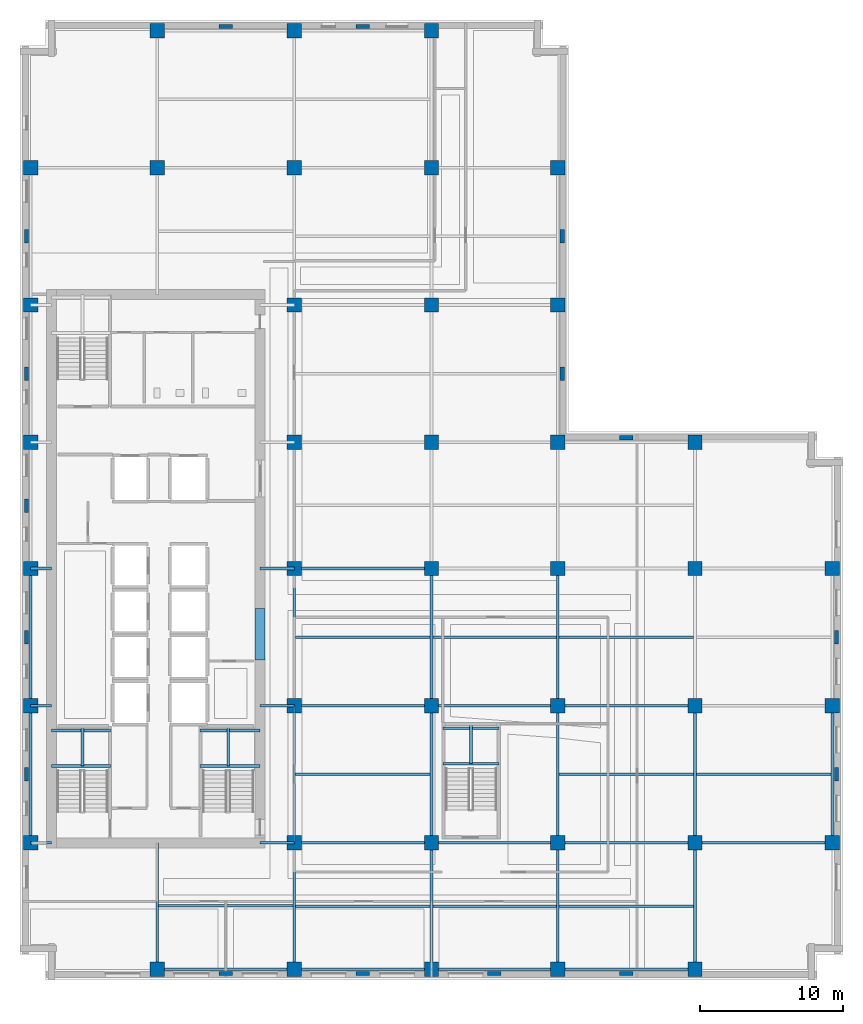
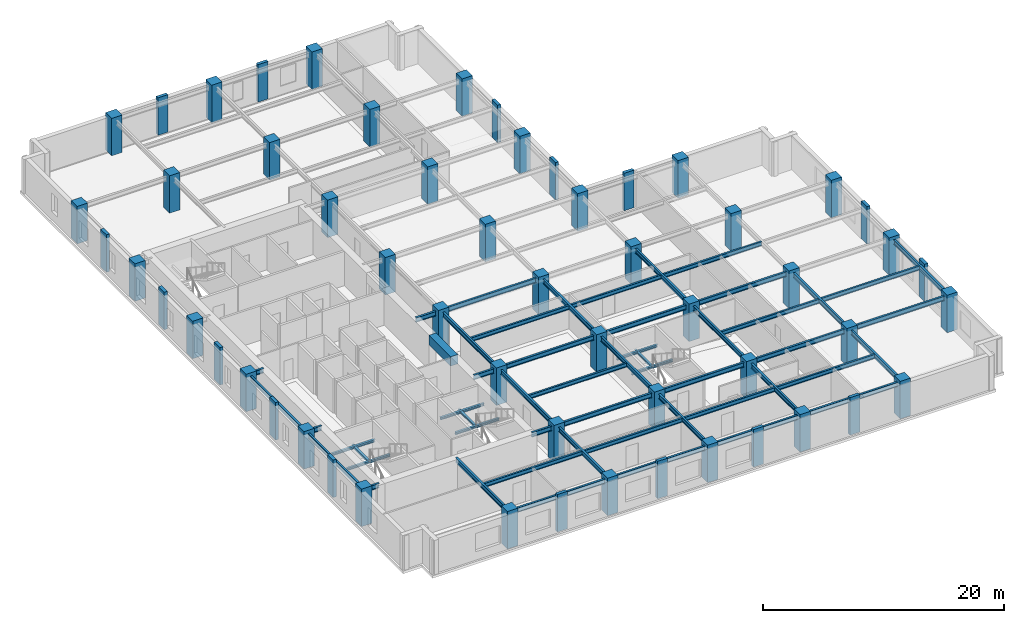
# One storey, part 1 of 12: 56 columns, 53 beams.
"""IFC4 building model written with IfcOpenShell, lengths in metres."""

from ifc_helpers import new_model, si_unit, direction, frame, origin, origin_2d, place, context, subcontext, project, spatial, rectangle, i_section, extrude, material, material_profile, profile_set, type_object, element, save


model = new_model("IFC4")

# Units and contexts
model_context = context("Model", 3, precision=1e-05, world=origin(), true_north=direction((0.0, 1.0)))
body_context = subcontext(model_context, "Body", "Model", "MODEL_VIEW")
ifc_project = project(units=[si_unit("LENGTHUNIT", "METRE"), si_unit("AREAUNIT", "SQUARE_METRE"), si_unit("VOLUMEUNIT", "CUBIC_METRE"), si_unit("PLANEANGLEUNIT", "RADIAN"), si_unit("MASSUNIT", "GRAM", prefix="KILO")], contexts=[model_context])

# Site, building, storey
site_placement = place(None, origin())
site = spatial("IfcSite", under=ifc_project, at=site_placement, CompositionType="ELEMENT")
building_placement = place(site_placement, origin())
building = spatial("IfcBuilding", under=site, at=building_placement, Name="Norrvale University Quadrangle", CompositionType="ELEMENT")
storey_placement = place(building_placement, frame((0.0, 0.0, 147.0)))
storey = spatial("IfcBuildingStorey", under=building, at=storey_placement, Name="L37", CompositionType="ELEMENT", Elevation=147.0)

# Columns
ifc_material_1 = material(Name="Red Manganese Brick Concrete C60/75", Category="concrete")
ifc_material_profile_1 = material_profile(ifc_material_1, rectangle(XDim=0.949951171875, YDim=0.300048828125, at=origin_2d()), Name="Red Manganese Brick Concrete C60/75")
ifc_profile_set_1 = profile_set([ifc_material_profile_1], Name="Red Manganese Brick Concrete C60/75")
column_type_1 = type_object("IfcColumnType", Name="Column Brick Pier 950x300", PredefinedType="PILASTER", material=ifc_profile_set_1)
for number, where, z_axis, x_axis, name in (
    (1, (0.449951171875, 14.39990234375, 0.0), (0.0, 0.0, 1.0), (0.0, 1.0, 0.0), "Exterior Brick Facade Pilaster L37-01"),
    (2, (0.449951171875, 24.0, 0.0), (0.0, 0.0, 1.0), (0.0, 1.0, 0.0), "Exterior Brick Facade Pilaster L37-02"),
    (3, (0.449951171875, 33.199951171875, 0.0), (0.0, 0.0, 1.0), (0.0, 1.0, 0.0), "Exterior Brick Facade Pilaster L37-03"),
    (4, (0.449951171875, 42.449951171875, 0.0), (0.0, 0.0, 1.0), (0.0, 1.0, 0.0), "Exterior Brick Facade Pilaster L37-04"),
    (5, (0.449951171875, 52.050048828125, 0.0), (0.0, 0.0, 1.0), (0.0, 1.0, 0.0), "Exterior Brick Facade Pilaster L37-05"),
    (6, (14.39990234375, 0.449951171875, 0.0), (0.0, 0.0, 1.0), (1.0, 0.0, 0.0), "Exterior Brick Facade Pilaster L37-06"),
    (7, (24.0, 0.449951171875, 0.0), (0.0, 0.0, 1.0), (1.0, 0.0, 0.0), "Exterior Brick Facade Pilaster L37-07"),
    (8, (33.199951171875, 0.449951171875, 0.0), (0.0, 0.0, 1.0), (1.0, 0.0, 0.0), "Exterior Brick Facade Pilaster L37-08"),
    (9, (42.449951171875, 0.449951171875, 0.0), (0.0, 0.0, 1.0), (1.0, 0.0, 0.0), "Exterior Brick Facade Pilaster L37-09"),
    (10, (57.14990234375, 14.39990234375, 0.0), (0.0, 0.0, 1.0), (0.0, 1.0, 0.0), "Exterior Brick Facade Pilaster L37-10"),
    (11, (57.14990234375, 24.0, 0.0), (0.0, 0.0, 1.0), (0.0, 1.0, 0.0), "Exterior Brick Facade Pilaster L37-11"),
    (12, (14.39990234375, 66.75, 0.0), (0.0, 0.0, 1.0), (1.0, 0.0, 0.0), "Exterior Brick Facade Pilaster L37-12"),
    (13, (24.0, 66.75, 0.0), (0.0, 0.0, 1.0), (1.0, 0.0, 0.0), "Exterior Brick Facade Pilaster L37-13"),
    (14, (37.949951171875, 42.449951171875, 0.0), (0.0, 0.0, 1.0), (0.0, 1.0, 0.0), "Exterior Brick Facade Pilaster L37-14"),
    (15, (37.949951171875, 52.050048828125, 0.0), (0.0, 0.0, 1.0), (0.0, 1.0, 0.0), "Exterior Brick Facade Pilaster L37-15"),
    (16, (42.449951171875, 37.949951171875, 0.0), (0.0, 0.0, 1.0), (1.0, 0.0, 0.0), "Exterior Brick Facade Pilaster L37-16"),
):
    element("IfcColumn", number, at=place(storey_placement, frame(where, z_axis=z_axis, x_axis=x_axis)), inside=storey, type_object=column_type_1, Name=name, PredefinedType="PILASTER", context=body_context, shape_type="SweptSolid", body=[
        extrude(rectangle(XDim=0.949951171875, YDim=0.300048828125, at=origin_2d()), origin(), (0.0, 0.0, 1.0), 3.800048828125),
    ])
ifc_material_2 = material(Name="Concrete C60/75", Category="concrete")
ifc_material_profile_2 = material_profile(ifc_material_2, rectangle(XDim=1.0, YDim=1.0, at=origin_2d()), Name="Concrete C60/75")
ifc_profile_set_2 = profile_set([ifc_material_profile_2], Name="Concrete C60/75")
column_type_2 = type_object("IfcColumnType", Name="Column Tower Z2 1000x1000", PredefinedType="COLUMN", material=ifc_profile_set_2)
for number, where, z_axis, x_axis, name in (
    (17, (0.75, 9.60009765625, 0.0), (0.0, 0.0, 1.0), (1.0, 0.0, 0.0), "Tower Column L37-T01"),
    (18, (0.75, 19.199951171875, 0.0), (0.0, 0.0, 1.0), (1.0, 0.0, 0.0), "Tower Column L37-T02"),
    (19, (0.75, 28.800048828125, 0.0), (0.0, 0.0, 1.0), (1.0, 0.0, 0.0), "Tower Column L37-T03"),
    (20, (0.75, 37.64990234375, 0.0), (0.0, 0.0, 1.0), (1.0, 0.0, 0.0), "Tower Column L37-T04"),
    (21, (0.75, 47.25, 0.0), (0.0, 0.0, 1.0), (1.0, 0.0, 0.0), "Tower Column L37-T05"),
    (22, (0.75, 56.85009765625, 0.0), (0.0, 0.0, 1.0), (1.0, 0.0, 0.0), "Tower Column L37-T06"),
    (23, (9.60009765625, 0.75, 0.0), (0.0, 0.0, 1.0), (1.0, 0.0, 0.0), "Tower Column L37-T07"),
    (24, (9.60009765625, 56.85009765625, 0.0), (0.0, 0.0, 1.0), (1.0, 0.0, 0.0), "Tower Column L37-T08"),
    (25, (9.60009765625, 66.449951171875, 0.0), (0.0, 0.0, 1.0), (1.0, 0.0, 0.0), "Tower Column L37-T09"),
    (26, (19.199951171875, 0.75, 0.0), (0.0, 0.0, 1.0), (1.0, 0.0, 0.0), "Tower Column L37-T10"),
    (27, (19.199951171875, 9.60009765625, 0.0), (0.0, 0.0, 1.0), (1.0, 0.0, 0.0), "Tower Column L37-T11"),
    (28, (19.199951171875, 19.199951171875, 0.0), (0.0, 0.0, 1.0), (1.0, 0.0, 0.0), "Tower Column L37-T12"),
    (29, (19.199951171875, 28.800048828125, 0.0), (0.0, 0.0, 1.0), (1.0, 0.0, 0.0), "Tower Column L37-T13"),
    (30, (19.199951171875, 37.64990234375, 0.0), (0.0, 0.0, 1.0), (1.0, 0.0, 0.0), "Tower Column L37-T14"),
    (31, (19.199951171875, 47.25, 0.0), (0.0, 0.0, 1.0), (1.0, 0.0, 0.0), "Tower Column L37-T15"),
    (32, (19.199951171875, 56.85009765625, 0.0), (0.0, 0.0, 1.0), (1.0, 0.0, 0.0), "Tower Column L37-T16"),
    (33, (19.199951171875, 66.449951171875, 0.0), (0.0, 0.0, 1.0), (1.0, 0.0, 0.0), "Tower Column L37-T17"),
    (34, (28.800048828125, 0.75, 0.0), (0.0, 0.0, 1.0), (1.0, 0.0, 0.0), "Tower Column L37-T18"),
    (35, (28.800048828125, 9.60009765625, 0.0), (0.0, 0.0, 1.0), (1.0, 0.0, 0.0), "Tower Column L37-T19"),
    (36, (28.800048828125, 19.199951171875, 0.0), (0.0, 0.0, 1.0), (1.0, 0.0, 0.0), "Tower Column L37-T20"),
    (37, (28.800048828125, 28.800048828125, 0.0), (0.0, 0.0, 1.0), (1.0, 0.0, 0.0), "Tower Column L37-T21"),
    (38, (28.800048828125, 37.64990234375, 0.0), (0.0, 0.0, 1.0), (1.0, 0.0, 0.0), "Tower Column L37-T22"),
    (39, (28.800048828125, 47.25, 0.0), (0.0, 0.0, 1.0), (1.0, 0.0, 0.0), "Tower Column L37-T23"),
    (40, (28.800048828125, 56.85009765625, 0.0), (0.0, 0.0, 1.0), (1.0, 0.0, 0.0), "Tower Column L37-T24"),
    (41, (28.800048828125, 66.449951171875, 0.0), (0.0, 0.0, 1.0), (1.0, 0.0, 0.0), "Tower Column L37-T25"),
    (42, (37.64990234375, 0.75, 0.0), (0.0, 0.0, 1.0), (1.0, 0.0, 0.0), "Tower Column L37-T26"),
    (43, (37.64990234375, 9.60009765625, 0.0), (0.0, 0.0, 1.0), (1.0, 0.0, 0.0), "Tower Column L37-T27"),
    (44, (37.64990234375, 19.199951171875, 0.0), (0.0, 0.0, 1.0), (1.0, 0.0, 0.0), "Tower Column L37-T28"),
    (45, (37.64990234375, 28.800048828125, 0.0), (0.0, 0.0, 1.0), (1.0, 0.0, 0.0), "Tower Column L37-T29"),
    (46, (37.64990234375, 37.64990234375, 0.0), (0.0, 0.0, 1.0), (1.0, 0.0, 0.0), "Tower Column L37-T30"),
    (47, (37.64990234375, 47.25, 0.0), (0.0, 0.0, 1.0), (1.0, 0.0, 0.0), "Tower Column L37-T31"),
    (48, (37.64990234375, 56.85009765625, 0.0), (0.0, 0.0, 1.0), (1.0, 0.0, 0.0), "Tower Column L37-T32"),
    (49, (47.25, 0.75, 0.0), (0.0, 0.0, 1.0), (1.0, 0.0, 0.0), "Tower Column L37-T33"),
    (50, (47.25, 9.60009765625, 0.0), (0.0, 0.0, 1.0), (1.0, 0.0, 0.0), "Tower Column L37-T34"),
    (51, (47.25, 19.199951171875, 0.0), (0.0, 0.0, 1.0), (1.0, 0.0, 0.0), "Tower Column L37-T35"),
    (52, (47.25, 28.800048828125, 0.0), (0.0, 0.0, 1.0), (1.0, 0.0, 0.0), "Tower Column L37-T36"),
    (53, (47.25, 37.64990234375, 0.0), (0.0, 0.0, 1.0), (1.0, 0.0, 0.0), "Tower Column L37-T37"),
    (54, (56.85009765625, 9.60009765625, 0.0), (0.0, 0.0, 1.0), (1.0, 0.0, 0.0), "Tower Column L37-T38"),
    (55, (56.85009765625, 19.199951171875, 0.0), (0.0, 0.0, 1.0), (1.0, 0.0, 0.0), "Tower Column L37-T39"),
    (56, (56.85009765625, 28.800048828125, 0.0), (0.0, 0.0, 1.0), (1.0, 0.0, 0.0), "Tower Column L37-T40"),
):
    element("IfcColumn", number, at=place(storey_placement, frame(where, z_axis=z_axis, x_axis=x_axis)), inside=storey, type_object=column_type_2, Name=name, PredefinedType="COLUMN", context=body_context, shape_type="SweptSolid", body=[
        extrude(rectangle(XDim=1.0, YDim=1.0, at=origin_2d()), origin(), (0.0, 0.0, 1.0), 3.800048828125),
    ])

# Beams
ifc_material_3 = material(Name="Steel 350W", Category="steel")
ifc_material_profile_3 = material_profile(ifc_material_3, i_section(OverallWidth=0.180908203125, OverallDepth=0.4169921875, WebThickness=0.010986328125, FlangeThickness=0.018310546875, FilletRadius=0.011962890625, at=origin_2d()), Name="Steel 350W")
ifc_profile_set_3 = profile_set([ifc_material_profile_3], Name="Steel 350W")
beam_type_1 = type_object("IfcBeamType", Name="Beam Atrium W410x85", PredefinedType="BEAM", material=ifc_profile_set_3)
for number, where, z_axis, x_axis, name in (
    (57, (19.297119140625, 5.175048828125, 3.271484375), (1.0, 0.0, 0.0), (0.0, 1.0, 0.0), "Beam Atrium W410x85 BM-L37-J071"),
    (58, (19.297119140625, 14.39990234375, 3.271484375), (1.0, 0.0, 0.0), (0.0, 1.0, 0.0), "Beam Atrium W410x85 BM-L37-J072"),
    (59, (19.297119140625, 24.0, 3.271484375), (1.0, 0.0, 0.0), (0.0, 1.0, 0.0), "Beam Atrium W410x85 BM-L37-J073"),
):
    element("IfcBeam", number, at=place(storey_placement, frame(where, z_axis=z_axis, x_axis=x_axis)), inside=storey, type_object=beam_type_1, Name=name, PredefinedType="BEAM", context=body_context, shape_type="SweptSolid", body=[
        extrude(i_section(OverallWidth=0.180908203125, OverallDepth=0.4169921875, WebThickness=0.010986328125, FlangeThickness=0.018310546875, FilletRadius=0.011962890625, at=origin_2d()), origin(), (0.0, 0.0, 1.0), 9.40576171875),
    ])
for number, where, z_axis, x_axis, name in (
    (60, (28.89697265625, 5.175048828125, 3.271484375), (1.0, 0.0, 0.0), (0.0, 1.0, 0.0), "Beam Atrium W410x85 BM-L37-J078"),
    (61, (28.89697265625, 24.0, 3.271484375), (1.0, 0.0, 0.0), (0.0, 1.0, 0.0), "Beam Atrium W410x85 BM-L37-J079"),
):
    element("IfcBeam", number, at=place(storey_placement, frame(where, z_axis=z_axis, x_axis=x_axis)), inside=storey, type_object=beam_type_1, Name=name, PredefinedType="BEAM", context=body_context, shape_type="SweptSolid", body=[
        extrude(i_section(OverallWidth=0.180908203125, OverallDepth=0.4169921875, WebThickness=0.010986328125, FlangeThickness=0.018310546875, FilletRadius=0.011962890625, at=origin_2d()), origin(), (0.0, 0.0, 1.0), 8.656005859375),
    ])
for number, where, z_axis, x_axis, name in (
    (62, (37.7470703125, 5.175048828125, 3.271484375), (1.0, 0.0, 0.0), (0.0, 1.0, 0.0), "Beam Atrium W410x85 BM-L37-J083"),
    (63, (37.7470703125, 14.39990234375, 3.271484375), (1.0, 0.0, 0.0), (0.0, 1.0, 0.0), "Beam Atrium W410x85 BM-L37-J084"),
    (64, (37.7470703125, 24.0, 3.271484375), (1.0, 0.0, 0.0), (0.0, 1.0, 0.0), "Beam Atrium W410x85 BM-L37-J085"),
    (65, (47.346923828125, 14.39990234375, 3.271484375), (1.0, 0.0, 0.0), (0.0, 1.0, 0.0), "Beam Atrium W410x85 BM-L37-J087"),
    (66, (9.697021484375, 5.199951171875, 3.271484375), (1.0, 0.0, 0.0), (0.0, 1.0, 0.0), "Beam Atrium W410x85 BM-L37-JCS090"),
):
    element("IfcBeam", number, at=place(storey_placement, frame(where, z_axis=z_axis, x_axis=x_axis)), inside=storey, type_object=beam_type_1, Name=name, PredefinedType="BEAM", context=body_context, shape_type="SweptSolid", body=[
        extrude(i_section(OverallWidth=0.180908203125, OverallDepth=0.4169921875, WebThickness=0.010986328125, FlangeThickness=0.018310546875, FilletRadius=0.011962890625, at=origin_2d()), origin(), (0.0, 0.0, 1.0), 9.406005859375),
    ])
ifc_material_4 = material(Name="Concrete C80/95", Category="concrete")
ifc_material_profile_4 = material_profile(ifc_material_4, rectangle(XDim=0.699951171875, YDim=0.949951171875, at=origin_2d()), Name="Concrete C80/95")
ifc_profile_set_4 = profile_set([ifc_material_profile_4], Name="Concrete C80/95")
beam_type_2 = type_object("IfcBeamType", Name="Beam Core Link 700x950", PredefinedType="LINTEL", material=ifc_profile_set_4)
beam_1_placement = place(storey_placement, frame((16.800048828125, 22.39990234375, 3.0048828125), z_axis=(0.0, 1.0, 0.0), x_axis=(-1.0, 0.0, 0.0)))
element("IfcBeam", 67, at=beam_1_placement, inside=storey, type_object=beam_type_2, Name="Core Coupling Lintel Beam L37-1", PredefinedType="LINTEL", context=body_context, shape_type="SweptSolid", body=[
    extrude(rectangle(XDim=0.699951171875, YDim=0.949951171875, at=origin_2d()), origin(), (0.0, 0.0, 1.0), 3.60009765625),
])
ifc_material_profile_5 = material_profile(ifc_material_3, i_section(OverallWidth=0.194091796875, OverallDepth=0.468994140625, WebThickness=0.0126953125, FlangeThickness=0.0205078125, FilletRadius=0.012939453125, at=origin_2d()), Name="Steel 350W")
ifc_profile_set_5 = profile_set([ifc_material_profile_5], Name="Steel 350W")
beam_type_3 = type_object("IfcBeamType", Name="Beam Floor W460x106", PredefinedType="BEAM", material=ifc_profile_set_5)
beam_2_placement = place(storey_placement, frame((9.60009765625, 0.75, 3.24560546875), z_axis=(1.0, 0.0, 0.0), x_axis=(0.0, 1.0, 0.0)))
element("IfcBeam", 68, at=beam_2_placement, inside=storey, type_object=beam_type_3, Name="Beam Floor W460x106 BM-L37-GX001", PredefinedType="BEAM", context=body_context, shape_type="SweptSolid", body=[
    extrude(i_section(OverallWidth=0.194091796875, OverallDepth=0.468994140625, WebThickness=0.0126953125, FlangeThickness=0.0205078125, FilletRadius=0.012939453125, at=origin_2d()), origin(), (0.0, 0.0, 1.0), 9.599853515625),
])
beam_3_placement = place(storey_placement, frame((19.199951171875, 0.75, 3.24560546875), z_axis=(1.0, 0.0, 0.0), x_axis=(0.0, 1.0, 0.0)))
element("IfcBeam", 69, at=beam_3_placement, inside=storey, type_object=beam_type_3, Name="Beam Floor W460x106 BM-L37-GX002", PredefinedType="BEAM", context=body_context, shape_type="SweptSolid", body=[
    extrude(i_section(OverallWidth=0.194091796875, OverallDepth=0.468994140625, WebThickness=0.0126953125, FlangeThickness=0.0205078125, FilletRadius=0.012939453125, at=origin_2d()), origin(), (0.0, 0.0, 1.0), 9.60009765625),
])
beam_4_placement = place(storey_placement, frame((28.800048828125, 0.75, 3.24560546875), z_axis=(1.0, 0.0, 0.0), x_axis=(0.0, 1.0, 0.0)))
element("IfcBeam", 70, at=beam_4_placement, inside=storey, type_object=beam_type_3, Name="Beam Floor W460x106 BM-L37-GX003", PredefinedType="BEAM", context=body_context, shape_type="SweptSolid", body=[
    extrude(i_section(OverallWidth=0.194091796875, OverallDepth=0.468994140625, WebThickness=0.0126953125, FlangeThickness=0.0205078125, FilletRadius=0.012939453125, at=origin_2d()), origin(), (0.0, 0.0, 1.0), 8.849853515625),
])
for number, where, z_axis, x_axis, name in (
    (71, (37.64990234375, 0.75, 3.24560546875), (1.0, 0.0, 0.0), (0.0, 1.0, 0.0), "Beam Floor W460x106 BM-L37-GX004"),
    (72, (19.199951171875, 9.60009765625, 3.24560546875), (1.0, 0.0, 0.0), (0.0, 1.0, 0.0), "Beam Floor W460x106 BM-L37-GX005"),
):
    element("IfcBeam", number, at=place(storey_placement, frame(where, z_axis=z_axis, x_axis=x_axis)), inside=storey, type_object=beam_type_3, Name=name, PredefinedType="BEAM", context=body_context, shape_type="SweptSolid", body=[
        extrude(i_section(OverallWidth=0.194091796875, OverallDepth=0.468994140625, WebThickness=0.0126953125, FlangeThickness=0.0205078125, FilletRadius=0.012939453125, at=origin_2d()), origin(), (0.0, 0.0, 1.0), 9.60009765625),
    ])
beam_5_placement = place(storey_placement, frame((28.800048828125, 9.60009765625, 3.24560546875), z_axis=(1.0, 0.0, 0.0), x_axis=(0.0, 1.0, 0.0)))
element("IfcBeam", 73, at=beam_5_placement, inside=storey, type_object=beam_type_3, Name="Beam Floor W460x106 BM-L37-GX006", PredefinedType="BEAM", context=body_context, shape_type="SweptSolid", body=[
    extrude(i_section(OverallWidth=0.194091796875, OverallDepth=0.468994140625, WebThickness=0.0126953125, FlangeThickness=0.0205078125, FilletRadius=0.012939453125, at=origin_2d()), origin(), (0.0, 0.0, 1.0), 8.849853515625),
])
for number, where, z_axis, x_axis, name in (
    (74, (37.64990234375, 9.60009765625, 3.24560546875), (1.0, 0.0, 0.0), (0.0, 1.0, 0.0), "Beam Floor W460x106 BM-L37-GX007"),
    (75, (47.25, 9.60009765625, 3.24560546875), (1.0, 0.0, 0.0), (0.0, 1.0, 0.0), "Beam Floor W460x106 BM-L37-GX008"),
    (76, (19.199951171875, 19.199951171875, 3.24560546875), (1.0, 0.0, 0.0), (0.0, 1.0, 0.0), "Beam Floor W460x106 BM-L37-GX009"),
):
    element("IfcBeam", number, at=place(storey_placement, frame(where, z_axis=z_axis, x_axis=x_axis)), inside=storey, type_object=beam_type_3, Name=name, PredefinedType="BEAM", context=body_context, shape_type="SweptSolid", body=[
        extrude(i_section(OverallWidth=0.194091796875, OverallDepth=0.468994140625, WebThickness=0.0126953125, FlangeThickness=0.0205078125, FilletRadius=0.012939453125, at=origin_2d()), origin(), (0.0, 0.0, 1.0), 9.60009765625),
    ])
beam_6_placement = place(storey_placement, frame((28.800048828125, 19.199951171875, 3.24560546875), z_axis=(1.0, 0.0, 0.0), x_axis=(0.0, 1.0, 0.0)))
element("IfcBeam", 77, at=beam_6_placement, inside=storey, type_object=beam_type_3, Name="Beam Floor W460x106 BM-L37-GX010", PredefinedType="BEAM", context=body_context, shape_type="SweptSolid", body=[
    extrude(i_section(OverallWidth=0.194091796875, OverallDepth=0.468994140625, WebThickness=0.0126953125, FlangeThickness=0.0205078125, FilletRadius=0.012939453125, at=origin_2d()), origin(), (0.0, 0.0, 1.0), 8.849853515625),
])
for number, where, z_axis, x_axis, name in (
    (78, (37.64990234375, 19.199951171875, 3.24560546875), (1.0, 0.0, 0.0), (0.0, 1.0, 0.0), "Beam Floor W460x106 BM-L37-GX011"),
    (79, (19.199951171875, 28.800048828125, 3.24560546875), (1.0, 0.0, 0.0), (0.0, 1.0, 0.0), "Beam Floor W460x106 BM-L37-GX013"),
):
    element("IfcBeam", number, at=place(storey_placement, frame(where, z_axis=z_axis, x_axis=x_axis)), inside=storey, type_object=beam_type_3, Name=name, PredefinedType="BEAM", context=body_context, shape_type="SweptSolid", body=[
        extrude(i_section(OverallWidth=0.194091796875, OverallDepth=0.468994140625, WebThickness=0.0126953125, FlangeThickness=0.0205078125, FilletRadius=0.012939453125, at=origin_2d()), origin(), (0.0, 0.0, 1.0), 9.60009765625),
    ])
beam_7_placement = place(storey_placement, frame((0.75, 9.60009765625, 3.24560546875), z_axis=(0.0, 1.0, 0.0), x_axis=(-1.0, 0.0, 0.0)))
element("IfcBeam", 80, at=beam_7_placement, inside=storey, type_object=beam_type_3, Name="Beam Floor W460x106 BM-L37-GY028", PredefinedType="BEAM", context=body_context, shape_type="SweptSolid", body=[
    extrude(i_section(OverallWidth=0.194091796875, OverallDepth=0.468994140625, WebThickness=0.0126953125, FlangeThickness=0.0205078125, FilletRadius=0.012939453125, at=origin_2d()), origin(), (0.0, 0.0, 1.0), 9.599853515625),
])
beam_8_placement = place(storey_placement, frame((0.75, 19.199951171875, 3.24560546875), z_axis=(0.0, 1.0, 0.0), x_axis=(-1.0, 0.0, 0.0)))
element("IfcBeam", 81, at=beam_8_placement, inside=storey, type_object=beam_type_3, Name="Beam Floor W460x106 BM-L37-GY029", PredefinedType="BEAM", context=body_context, shape_type="SweptSolid", body=[
    extrude(i_section(OverallWidth=0.194091796875, OverallDepth=0.468994140625, WebThickness=0.0126953125, FlangeThickness=0.0205078125, FilletRadius=0.012939453125, at=origin_2d()), origin(), (0.0, 0.0, 1.0), 9.60009765625),
])
beam_9_placement = place(storey_placement, frame((19.199951171875, 0.75, 3.24560546875), z_axis=(0.0, 1.0, 0.0), x_axis=(-1.0, 0.0, 0.0)))
element("IfcBeam", 82, at=beam_9_placement, inside=storey, type_object=beam_type_3, Name="Beam Floor W460x106 BM-L37-GY034", PredefinedType="BEAM", context=body_context, shape_type="SweptSolid", body=[
    extrude(i_section(OverallWidth=0.194091796875, OverallDepth=0.468994140625, WebThickness=0.0126953125, FlangeThickness=0.0205078125, FilletRadius=0.012939453125, at=origin_2d()), origin(), (0.0, 0.0, 1.0), 8.85009765625),
])
beam_10_placement = place(storey_placement, frame((19.199951171875, 9.60009765625, 3.24560546875), z_axis=(0.0, 1.0, 0.0), x_axis=(-1.0, 0.0, 0.0)))
element("IfcBeam", 83, at=beam_10_placement, inside=storey, type_object=beam_type_3, Name="Beam Floor W460x106 BM-L37-GY035", PredefinedType="BEAM", context=body_context, shape_type="SweptSolid", body=[
    extrude(i_section(OverallWidth=0.194091796875, OverallDepth=0.468994140625, WebThickness=0.0126953125, FlangeThickness=0.0205078125, FilletRadius=0.012939453125, at=origin_2d()), origin(), (0.0, 0.0, 1.0), 9.599853515625),
])
beam_11_placement = place(storey_placement, frame((19.199951171875, 19.199951171875, 3.24560546875), z_axis=(0.0, 1.0, 0.0), x_axis=(-1.0, 0.0, 0.0)))
element("IfcBeam", 84, at=beam_11_placement, inside=storey, type_object=beam_type_3, Name="Beam Floor W460x106 BM-L37-GY036", PredefinedType="BEAM", context=body_context, shape_type="SweptSolid", body=[
    extrude(i_section(OverallWidth=0.194091796875, OverallDepth=0.468994140625, WebThickness=0.0126953125, FlangeThickness=0.0205078125, FilletRadius=0.012939453125, at=origin_2d()), origin(), (0.0, 0.0, 1.0), 9.60009765625),
])
beam_12_placement = place(storey_placement, frame((28.800048828125, 0.75, 3.24560546875), z_axis=(0.0, 1.0, 0.0), x_axis=(-1.0, 0.0, 0.0)))
element("IfcBeam", 85, at=beam_12_placement, inside=storey, type_object=beam_type_3, Name="Beam Floor W460x106 BM-L37-GY041", PredefinedType="BEAM", context=body_context, shape_type="SweptSolid", body=[
    extrude(i_section(OverallWidth=0.194091796875, OverallDepth=0.468994140625, WebThickness=0.0126953125, FlangeThickness=0.0205078125, FilletRadius=0.012939453125, at=origin_2d()), origin(), (0.0, 0.0, 1.0), 8.85009765625),
])
beam_13_placement = place(storey_placement, frame((28.800048828125, 9.60009765625, 3.24560546875), z_axis=(0.0, 1.0, 0.0), x_axis=(-1.0, 0.0, 0.0)))
element("IfcBeam", 86, at=beam_13_placement, inside=storey, type_object=beam_type_3, Name="Beam Floor W460x106 BM-L37-GY042", PredefinedType="BEAM", context=body_context, shape_type="SweptSolid", body=[
    extrude(i_section(OverallWidth=0.194091796875, OverallDepth=0.468994140625, WebThickness=0.0126953125, FlangeThickness=0.0205078125, FilletRadius=0.012939453125, at=origin_2d()), origin(), (0.0, 0.0, 1.0), 9.599853515625),
])
beam_14_placement = place(storey_placement, frame((28.800048828125, 19.199951171875, 3.24560546875), z_axis=(0.0, 1.0, 0.0), x_axis=(-1.0, 0.0, 0.0)))
element("IfcBeam", 87, at=beam_14_placement, inside=storey, type_object=beam_type_3, Name="Beam Floor W460x106 BM-L37-GY043", PredefinedType="BEAM", context=body_context, shape_type="SweptSolid", body=[
    extrude(i_section(OverallWidth=0.194091796875, OverallDepth=0.468994140625, WebThickness=0.0126953125, FlangeThickness=0.0205078125, FilletRadius=0.012939453125, at=origin_2d()), origin(), (0.0, 0.0, 1.0), 9.60009765625),
])
beam_15_placement = place(storey_placement, frame((37.64990234375, 0.75, 3.24560546875), z_axis=(0.0, 1.0, 0.0), x_axis=(-1.0, 0.0, 0.0)))
element("IfcBeam", 88, at=beam_15_placement, inside=storey, type_object=beam_type_3, Name="Beam Floor W460x106 BM-L37-GY048", PredefinedType="BEAM", context=body_context, shape_type="SweptSolid", body=[
    extrude(i_section(OverallWidth=0.194091796875, OverallDepth=0.468994140625, WebThickness=0.0126953125, FlangeThickness=0.0205078125, FilletRadius=0.012939453125, at=origin_2d()), origin(), (0.0, 0.0, 1.0), 8.85009765625),
])
beam_16_placement = place(storey_placement, frame((37.64990234375, 9.60009765625, 3.24560546875), z_axis=(0.0, 1.0, 0.0), x_axis=(-1.0, 0.0, 0.0)))
element("IfcBeam", 89, at=beam_16_placement, inside=storey, type_object=beam_type_3, Name="Beam Floor W460x106 BM-L37-GY049", PredefinedType="BEAM", context=body_context, shape_type="SweptSolid", body=[
    extrude(i_section(OverallWidth=0.194091796875, OverallDepth=0.468994140625, WebThickness=0.0126953125, FlangeThickness=0.0205078125, FilletRadius=0.012939453125, at=origin_2d()), origin(), (0.0, 0.0, 1.0), 9.599853515625),
])
beam_17_placement = place(storey_placement, frame((37.64990234375, 19.199951171875, 3.24560546875), z_axis=(0.0, 1.0, 0.0), x_axis=(-1.0, 0.0, 0.0)))
element("IfcBeam", 90, at=beam_17_placement, inside=storey, type_object=beam_type_3, Name="Beam Floor W460x106 BM-L37-GY050", PredefinedType="BEAM", context=body_context, shape_type="SweptSolid", body=[
    extrude(i_section(OverallWidth=0.194091796875, OverallDepth=0.468994140625, WebThickness=0.0126953125, FlangeThickness=0.0205078125, FilletRadius=0.012939453125, at=origin_2d()), origin(), (0.0, 0.0, 1.0), 9.60009765625),
])
beam_18_placement = place(storey_placement, frame((47.25, 0.75, 3.24560546875), z_axis=(0.0, 1.0, 0.0), x_axis=(-1.0, 0.0, 0.0)))
element("IfcBeam", 91, at=beam_18_placement, inside=storey, type_object=beam_type_3, Name="Beam Floor W460x106 BM-L37-GY054", PredefinedType="BEAM", context=body_context, shape_type="SweptSolid", body=[
    extrude(i_section(OverallWidth=0.194091796875, OverallDepth=0.468994140625, WebThickness=0.0126953125, FlangeThickness=0.0205078125, FilletRadius=0.012939453125, at=origin_2d()), origin(), (0.0, 0.0, 1.0), 8.85009765625),
])
for number, where, z_axis, x_axis, name in (
    (92, (47.25, 9.60009765625, 3.24560546875), (0.0, 1.0, 0.0), (-1.0, 0.0, 0.0), "Beam Floor W460x106 BM-L37-GY055"),
    (93, (56.85009765625, 9.60009765625, 3.24560546875), (0.0, 1.0, 0.0), (-1.0, 0.0, 0.0), "Beam Floor W460x106 BM-L37-GY058"),
):
    element("IfcBeam", number, at=place(storey_placement, frame(where, z_axis=z_axis, x_axis=x_axis)), inside=storey, type_object=beam_type_3, Name=name, PredefinedType="BEAM", context=body_context, shape_type="SweptSolid", body=[
        extrude(i_section(OverallWidth=0.194091796875, OverallDepth=0.468994140625, WebThickness=0.0126953125, FlangeThickness=0.0205078125, FilletRadius=0.012939453125, at=origin_2d()), origin(), (0.0, 0.0, 1.0), 9.599853515625),
    ])
beam_19_placement = place(storey_placement, frame((0.75, 9.60009765625, 3.24560546875), z_axis=(1.0, 0.0, 0.0), x_axis=(0.0, 1.0, 0.0)))
element("IfcBeam", 94, at=beam_19_placement, inside=storey, type_object=beam_type_3, Name="Beam Floor W460x106 BM-L37-GCW060", PredefinedType="BEAM", context=body_context, shape_type="SweptSolid", body=[
    extrude(i_section(OverallWidth=0.194091796875, OverallDepth=0.468994140625, WebThickness=0.0126953125, FlangeThickness=0.0205078125, FilletRadius=0.012939453125, at=origin_2d()), origin(), (0.0, 0.0, 1.0), 1.449951171875),
])
beam_20_placement = place(storey_placement, frame((16.800048828125, 9.60009765625, 3.24560546875), z_axis=(1.0, 0.0, 0.0), x_axis=(0.0, 1.0, 0.0)))
element("IfcBeam", 95, at=beam_20_placement, inside=storey, type_object=beam_type_3, Name="Beam Floor W460x106 BM-L37-GCE061", PredefinedType="BEAM", context=body_context, shape_type="SweptSolid", body=[
    extrude(i_section(OverallWidth=0.194091796875, OverallDepth=0.468994140625, WebThickness=0.0126953125, FlangeThickness=0.0205078125, FilletRadius=0.012939453125, at=origin_2d()), origin(), (0.0, 0.0, 1.0), 2.39990234375),
])
beam_21_placement = place(storey_placement, frame((0.75, 19.199951171875, 3.24560546875), z_axis=(1.0, 0.0, 0.0), x_axis=(0.0, 1.0, 0.0)))
element("IfcBeam", 96, at=beam_21_placement, inside=storey, type_object=beam_type_3, Name="Beam Floor W460x106 BM-L37-GCW062", PredefinedType="BEAM", context=body_context, shape_type="SweptSolid", body=[
    extrude(i_section(OverallWidth=0.194091796875, OverallDepth=0.468994140625, WebThickness=0.0126953125, FlangeThickness=0.0205078125, FilletRadius=0.012939453125, at=origin_2d()), origin(), (0.0, 0.0, 1.0), 1.449951171875),
])
beam_22_placement = place(storey_placement, frame((16.800048828125, 19.199951171875, 3.24560546875), z_axis=(1.0, 0.0, 0.0), x_axis=(0.0, 1.0, 0.0)))
element("IfcBeam", 97, at=beam_22_placement, inside=storey, type_object=beam_type_3, Name="Beam Floor W460x106 BM-L37-GCE063", PredefinedType="BEAM", context=body_context, shape_type="SweptSolid", body=[
    extrude(i_section(OverallWidth=0.194091796875, OverallDepth=0.468994140625, WebThickness=0.0126953125, FlangeThickness=0.0205078125, FilletRadius=0.012939453125, at=origin_2d()), origin(), (0.0, 0.0, 1.0), 2.39990234375),
])
beam_23_placement = place(storey_placement, frame((0.75, 28.800048828125, 3.24560546875), z_axis=(1.0, 0.0, 0.0), x_axis=(0.0, 1.0, 0.0)))
element("IfcBeam", 98, at=beam_23_placement, inside=storey, type_object=beam_type_3, Name="Beam Floor W460x106 BM-L37-GCW064", PredefinedType="BEAM", context=body_context, shape_type="SweptSolid", body=[
    extrude(i_section(OverallWidth=0.194091796875, OverallDepth=0.468994140625, WebThickness=0.0126953125, FlangeThickness=0.0205078125, FilletRadius=0.012939453125, at=origin_2d()), origin(), (0.0, 0.0, 1.0), 1.449951171875),
])
beam_24_placement = place(storey_placement, frame((16.800048828125, 28.800048828125, 3.24560546875), z_axis=(1.0, 0.0, 0.0), x_axis=(0.0, 1.0, 0.0)))
element("IfcBeam", 99, at=beam_24_placement, inside=storey, type_object=beam_type_3, Name="Beam Floor W460x106 BM-L37-GCE065", PredefinedType="BEAM", context=body_context, shape_type="SweptSolid", body=[
    extrude(i_section(OverallWidth=0.194091796875, OverallDepth=0.468994140625, WebThickness=0.0126953125, FlangeThickness=0.0205078125, FilletRadius=0.012939453125, at=origin_2d()), origin(), (0.0, 0.0, 1.0), 2.39990234375),
])
beam_25_placement = place(storey_placement, frame((9.60009765625, 0.75, 3.24560546875), z_axis=(0.0, 1.0, 0.0), x_axis=(-1.0, 0.0, 0.0)))
element("IfcBeam", 100, at=beam_25_placement, inside=storey, type_object=beam_type_3, Name="Beam Floor W460x106 BM-L37-GCS089", PredefinedType="BEAM", context=body_context, shape_type="SweptSolid", body=[
    extrude(i_section(OverallWidth=0.194091796875, OverallDepth=0.468994140625, WebThickness=0.0126953125, FlangeThickness=0.0205078125, FilletRadius=0.012939453125, at=origin_2d()), origin(), (0.0, 0.0, 1.0), 8.85009765625),
])
ifc_material_profile_6 = material_profile(ifc_material_3, i_section(OverallWidth=0.201904296875, OverallDepth=0.2470703125, WebThickness=0.00732421875, FlangeThickness=0.010986328125, FilletRadius=0.011962890625, at=origin_2d()), Name="Steel 350W")
ifc_profile_set_6 = profile_set([ifc_material_profile_6], Name="Steel 350W")
beam_type_4 = type_object("IfcBeamType", Name="Beam Stair W250x49", PredefinedType="BEAM", material=ifc_profile_set_6)
for number, where, z_axis, x_axis, name in (
    (101, (2.199951171875, 14.989990234375, 1.576416015625), (1.0, 0.0, 0.0), (0.0, 1.0, 0.0), "Stair Mid-Landing Front Beam ST-01 L37"),
    (102, (2.199951171875, 17.469970703125, 1.576416015625), (1.0, 0.0, 0.0), (0.0, 1.0, 0.0), "Stair Mid-Landing Rear Beam ST-01 L37"),
):
    element("IfcBeam", number, at=place(storey_placement, frame(where, z_axis=z_axis, x_axis=x_axis)), inside=storey, type_object=beam_type_4, Name=name, PredefinedType="BEAM", context=body_context, shape_type="SweptSolid", body=[
        extrude(i_section(OverallWidth=0.201904296875, OverallDepth=0.2470703125, WebThickness=0.00732421875, FlangeThickness=0.010986328125, FilletRadius=0.011962890625, at=origin_2d()), origin(), (0.0, 0.0, 1.0), 4.14013671875),
    ])
for number, where, z_axis, x_axis, name in (
    (103, (12.610107421875, 14.989990234375, 1.576416015625), (1.0, 0.0, 0.0), (0.0, 1.0, 0.0), "Stair Mid-Landing Front Beam ST-03 L37"),
    (104, (12.610107421875, 17.469970703125, 1.576416015625), (1.0, 0.0, 0.0), (0.0, 1.0, 0.0), "Stair Mid-Landing Rear Beam ST-03 L37"),
):
    element("IfcBeam", number, at=place(storey_placement, frame(where, z_axis=z_axis, x_axis=x_axis)), inside=storey, type_object=beam_type_4, Name=name, PredefinedType="BEAM", context=body_context, shape_type="SweptSolid", body=[
        extrude(i_section(OverallWidth=0.201904296875, OverallDepth=0.2470703125, WebThickness=0.00732421875, FlangeThickness=0.010986328125, FilletRadius=0.011962890625, at=origin_2d()), origin(), (0.0, 0.0, 1.0), 4.18994140625),
    ])
for number, where, z_axis, x_axis, name in (
    (105, (29.610107421875, 15.139892578125, 1.576416015625), (1.0, 0.0, 0.0), (0.0, 1.0, 0.0), "Stair Mid-Landing Front Beam ST-04 L37"),
    (106, (29.610107421875, 17.6201171875, 1.576416015625), (1.0, 0.0, 0.0), (0.0, 1.0, 0.0), "Stair Mid-Landing Rear Beam ST-04 L37"),
):
    element("IfcBeam", number, at=place(storey_placement, frame(where, z_axis=z_axis, x_axis=x_axis)), inside=storey, type_object=beam_type_4, Name=name, PredefinedType="BEAM", context=body_context, shape_type="SweptSolid", body=[
        extrude(i_section(OverallWidth=0.201904296875, OverallDepth=0.2470703125, WebThickness=0.00732421875, FlangeThickness=0.010986328125, FilletRadius=0.011962890625, at=origin_2d()), origin(), (0.0, 0.0, 1.0), 3.929931640625),
    ])
ifc_material_profile_7 = material_profile(ifc_material_3, i_section(OverallWidth=0.202880859375, OverallDepth=0.202880859375, WebThickness=0.007080078125, FlangeThickness=0.010986328125, FilletRadius=0.010009765625, at=origin_2d()), Name="Steel 350W")
ifc_profile_set_7 = profile_set([ifc_material_profile_7], Name="Steel 350W")
beam_type_5 = type_object("IfcBeamType", Name="Beam Trim W200x46", PredefinedType="BEAM", material=ifc_profile_set_7)
for number, where, z_axis, x_axis, name in (
    (107, (4.375, 14.989990234375, 1.598388671875), (0.0, 1.0, 0.0), (-1.0, 0.0, 0.0), "Stair Mid-Landing Cross Beam ST-01 L37"),
    (108, (14.574951171875, 14.989990234375, 1.598388671875), (0.0, 1.0, 0.0), (-1.0, 0.0, 0.0), "Stair Mid-Landing Cross Beam ST-03 L37"),
    (109, (31.574951171875, 15.139892578125, 1.598388671875), (0.0, 1.0, 0.0), (-1.0, 0.0, 0.0), "Stair Mid-Landing Cross Beam ST-04 L37"),
):
    element("IfcBeam", number, at=place(storey_placement, frame(where, z_axis=z_axis, x_axis=x_axis)), inside=storey, type_object=beam_type_5, Name=name, PredefinedType="BEAM", context=body_context, shape_type="SweptSolid", body=[
        extrude(i_section(OverallWidth=0.202880859375, OverallDepth=0.202880859375, WebThickness=0.007080078125, FlangeThickness=0.010986328125, FilletRadius=0.010009765625, at=origin_2d()), origin(), (0.0, 0.0, 1.0), 2.800048828125),
    ])

save(model, "model.ifc")
